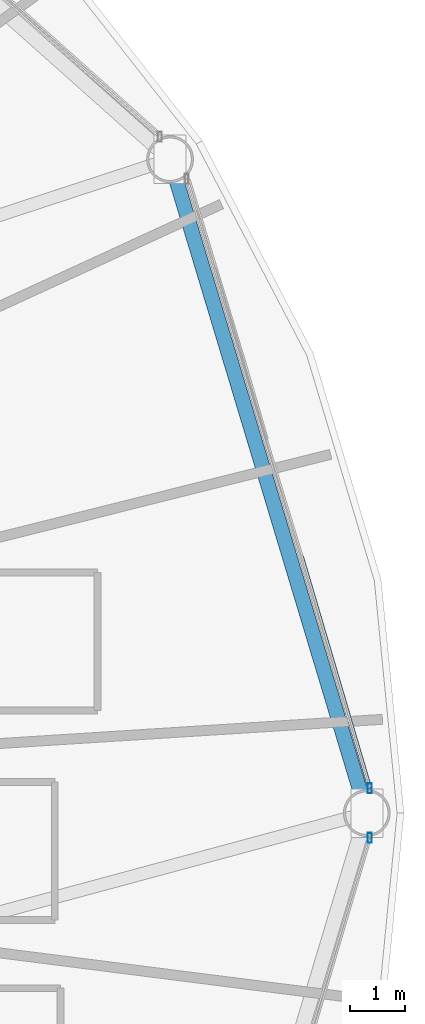
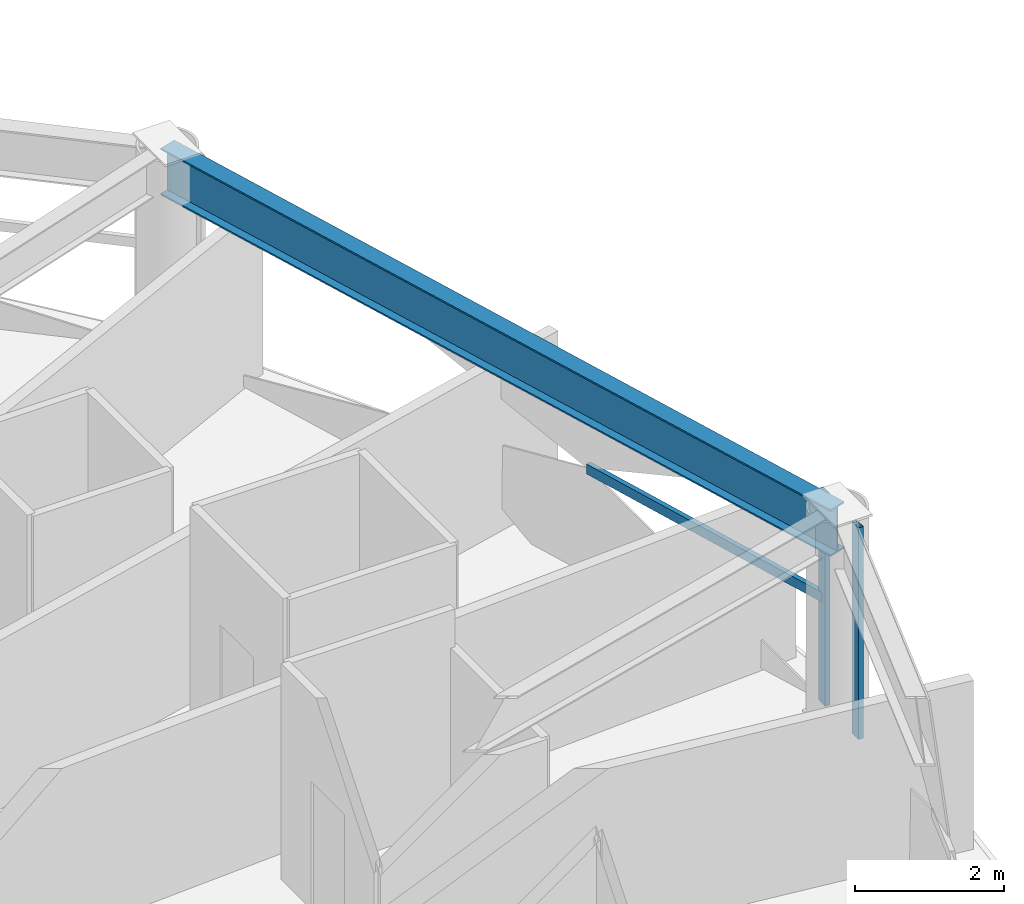
# One storey, part 14 of 32: 3 members, 1 beam, 2 elements without a shape of their own.
"""IFC4 building model written with IfcOpenShell, lengths in metres."""

from ifc_helpers import new_model, si_unit, direction, frame, origin, origin_2d, place, context, subcontext, project, spatial, hollow_rectangle, i_section, extrude, material, layer, layer_set, material_profile, profile_set, type_object, element, aggregate, save


model = new_model("IFC4")

# Units and contexts
model_context = context("Model", 3, precision=1e-05, world=origin(), true_north=direction((0.0, 1.0)))
body_context = subcontext(model_context, "Body", "Model", "MODEL_VIEW")
ifc_project = project(units=[si_unit("LENGTHUNIT", "METRE"), si_unit("AREAUNIT", "SQUARE_METRE"), si_unit("VOLUMEUNIT", "CUBIC_METRE"), si_unit("PLANEANGLEUNIT", "RADIAN"), si_unit("MASSUNIT", "GRAM", prefix="KILO")], contexts=[model_context])

# Site, building, storey
site_placement = place(None, origin())
site = spatial("IfcSite", under=ifc_project, at=site_placement, CompositionType="ELEMENT")
building_placement = place(site_placement, origin())
building = spatial("IfcBuilding", under=site, at=building_placement, Name="Vantalir Tower", CompositionType="ELEMENT")
storey_placement = place(building_placement, frame((0.0, 0.0, 45.75)))
storey = spatial("IfcBuildingStorey", under=building, at=storey_placement, Name="L10", CompositionType="ELEMENT", Elevation=45.75)

# Beam
ifc_material_1 = material(Name="Steel S460", Category="steel")
ifc_material_profile_1 = material_profile(ifc_material_1, i_section(OverallWidth=0.26806640625, OverallDepth=0.77001953125, WebThickness=0.015625, FlangeThickness=0.025390625, at=origin_2d()), Name="Steel S460")
ifc_profile_set_1 = profile_set([ifc_material_profile_1], Name="Steel S460")
beam_type = type_object("IfcBeamType", Name="BM-RG-762x267", PredefinedType="USERDEFINED", material=ifc_profile_set_1)
beam_placement = place(storey_placement, frame((58.138916015625, 25.0, 3.18505859375), z_axis=(-0.288083666515, 0.957605242826, 0.0), x_axis=(-0.957605242826, -0.288083666515, 0.0)))
element("IfcBeam", 1, at=beam_placement, inside=storey, type_object=beam_type, Name="L10 Circumferential Ring Girder 01", ObjectType="GIRDER", PredefinedType="USERDEFINED", context=body_context, shape_type="SweptSolid", body=[
    extrude(i_section(OverallWidth=0.26806640625, OverallDepth=0.77001953125, WebThickness=0.015625, FlangeThickness=0.025390625, at=origin_2d()), origin(), (0.0, 0.0, 1.0), 12.38818359375),
])

# Curtain wall, member
ifc_material_2 = material(Name="Champagne-silver PVDF aluminium and double-silver Low-E glass", Category="aluminium")
ifc_layer = layer(ifc_material_2, 0.18994140625)
ifc_layer_set = layer_set([ifc_layer], Name="Champagne-silver PVDF aluminium and double-silver Low-E glass")
curtain_wall_type = type_object("IfcCurtainWallType", Name="CW-DIAMOND-Z1", PredefinedType="USERDEFINED", material=ifc_layer_set)
curtain_wall_1_placement = place(storey_placement, origin())
curtain_wall_1 = element("IfcCurtainWall", 2, at=curtain_wall_1_placement, inside=storey, type_object=curtain_wall_type, Name="L10 Quilted Pyramid-Diamond Curtain Wall S01", ObjectType="UNITISED CURTAIN WALL", PredefinedType="USERDEFINED")
ifc_material_3 = material(Name="Champagne-silver PVDF aluminium 6063-T6", Category="aluminium")
ifc_material_profile_2 = material_profile(ifc_material_3, hollow_rectangle(XDim=0.074951171875, YDim=0.179931640625, WallThickness=0.00390625, at=origin_2d()), Name="Champagne-silver PVDF aluminium 6063-T6")
ifc_profile_set_2 = profile_set([ifc_material_profile_2], Name="Champagne-silver PVDF aluminium 6063-T6")
member_type_1 = type_object("IfcMemberType", Name="CWM-180x75", PredefinedType="MULLION", material=ifc_profile_set_2)
member_1_placement = place(storey_placement, frame((58.194091796875, 25.449951171875, 0.044921875), z_axis=(0.0, 0.0, 1.0), x_axis=(1.0, 0.0, 0.0)))
member_1 = element("IfcMember", 3, at=member_1_placement, type_object=member_type_1, Name="CW-L10-S01 Mullion 1", PredefinedType="MULLION", context=body_context, shape_type="SweptSolid", body=[
    extrude(hollow_rectangle(XDim=0.074951171875, YDim=0.179931640625, WallThickness=0.00390625, at=origin_2d()), origin(), (0.0, 0.0, 1.0), 3.47998046875),
])

curtain_wall_2_placement = place(storey_placement, origin())
curtain_wall_2 = element("IfcCurtainWall", 4, at=curtain_wall_2_placement, inside=storey, type_object=curtain_wall_type, Name="L10 Quilted Pyramid-Diamond Curtain Wall S12", ObjectType="UNITISED CURTAIN WALL", PredefinedType="USERDEFINED")
member_2_placement = place(storey_placement, frame((58.194091796875, 24.550048828125, 0.044921875), z_axis=(0.0, 0.0, 1.0), x_axis=(1.0, 0.0, 0.0)))
member_2 = element("IfcMember", 5, at=member_2_placement, type_object=member_type_1, Name="CW-L10-S12 Mullion 2", PredefinedType="MULLION", context=body_context, shape_type="SweptSolid", body=[
    extrude(hollow_rectangle(XDim=0.074951171875, YDim=0.179931640625, WallThickness=0.00390625, at=origin_2d()), origin(), (0.0, 0.0, 1.0), 3.47998046875),
])
aggregate(curtain_wall_2, [member_2])

# Member
ifc_material_profile_3 = material_profile(ifc_material_3, hollow_rectangle(XDim=0.074951171875, YDim=0.159912109375, WallThickness=0.00390625, at=origin_2d()), Name="Champagne-silver PVDF aluminium 6063-T6")
ifc_profile_set_3 = profile_set([ifc_material_profile_3], Name="Champagne-silver PVDF aluminium 6063-T6")
member_type_2 = type_object("IfcMemberType", Name="CWT-160x75", PredefinedType="USERDEFINED", material=ifc_profile_set_3)
member_3_placement = place(storey_placement, frame((58.194091796875, 25.449951171875, 1.784912109375), z_axis=(-0.282778170154, 0.959185334794, 0.0), x_axis=(-0.959185334794, -0.282778170154, 0.0)))
member_3 = element("IfcMember", 6, at=member_3_placement, type_object=member_type_2, Name="CW-L10-S01 Pyramid Fold Ridge Transom", ObjectType="TRANSOM", PredefinedType="USERDEFINED", context=body_context, shape_type="SweptSolid", body=[
    extrude(hollow_rectangle(XDim=0.074951171875, YDim=0.159912109375, WallThickness=0.00390625, at=origin_2d()), origin(), (0.0, 0.0, 1.0), 4.385009765625),
])

aggregate(curtain_wall_1, [member_1, member_3])

save(model, "model.ifc")
